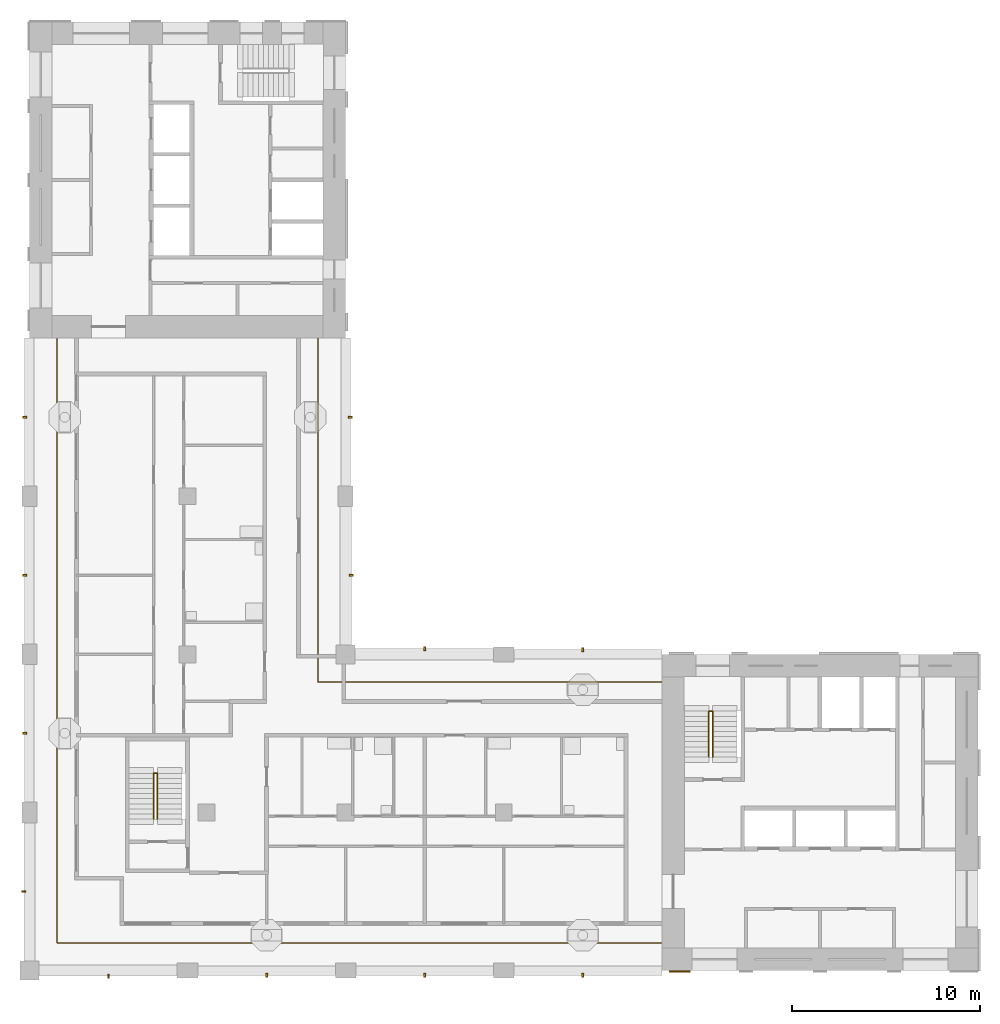
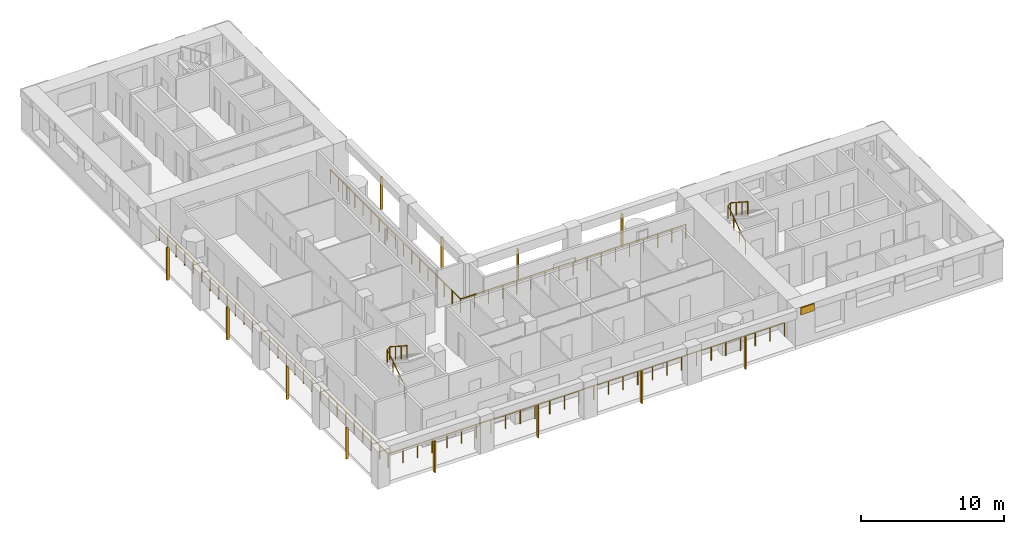
# One storey, part 7 of 11: 13 shading devices, 4 railings.
"""IFC4 building model written with IfcOpenShell, lengths in metres."""

from ifc_helpers import new_model, si_unit, direction, frame, origin, origin_2d, place, context, subcontext, project, spatial, rectangle, circle, extrude, material, layer, layer_set, material_profile, profile_set, type_object, element, save


model = new_model("IFC4")

# Units and contexts
model_context = context("Model", 3, precision=1e-05, world=origin(), true_north=direction((0.0, 1.0)))
body_context = subcontext(model_context, "Body", "Model", "MODEL_VIEW")
ifc_project = project(units=[si_unit("LENGTHUNIT", "METRE"), si_unit("AREAUNIT", "SQUARE_METRE"), si_unit("VOLUMEUNIT", "CUBIC_METRE"), si_unit("PLANEANGLEUNIT", "RADIAN"), si_unit("MASSUNIT", "GRAM", prefix="KILO")], contexts=[model_context])

# Site, building, storey
site_placement = place(None, origin())
site = spatial("IfcSite", under=ifc_project, at=site_placement, CompositionType="ELEMENT")
building_placement = place(site_placement, origin())
building = spatial("IfcBuilding", under=site, at=building_placement, Name="Vermilion Gate Residences", CompositionType="ELEMENT")
storey_placement = place(building_placement, frame((0.0, 0.0, 263.199951171875)))
storey = spatial("IfcBuildingStorey", under=building, at=storey_placement, Name="L69", CompositionType="ELEMENT", Elevation=263.199951171875)

# Railings
ifc_material_1 = material(Name="Stainless steel and toughened glass", Category="steel")
railing_type_1 = type_object("IfcRailingType", Name="LOGGIA GUARD STEEL AND GLASS 1200", PredefinedType="GUARDRAIL", material=ifc_material_1)
railing_1_placement = place(storey_placement, frame((41.97802734375, 23.72509765625, 0.0)))
element("IfcRailing", 1, at=railing_1_placement, inside=storey, type_object=railing_type_1, Name="Loggia guard", PredefinedType="GUARDRAIL", context=body_context, shape_type="SweptSolid", body=[
    extrude(circle(Radius=0.030029296875, at=origin_2d()), frame((0.0, 0.0, 1.169921875), z_axis=(-1.0, 0.0, 0.0), x_axis=(0.0, -1.0, 0.0)), (0.0, 0.0, 1.0), 18.2529296875),
    extrude(circle(Radius=0.030029296875, at=origin_2d()), frame((-18.2529296875, 0.0, 1.169921875), z_axis=(0.0, 1.0, 0.0), x_axis=(-1.0, 0.0, 0.0)), (0.0, 0.0, 1.0), 18.2529296875),
    extrude(circle(Radius=0.02490234375, at=origin_2d()), origin(), (0.0, 0.0, 1.0), 1.139892578125),
    extrude(circle(Radius=0.02490234375, at=origin_2d()), frame((-1.140869140625, 0.0, 0.0)), (0.0, 0.0, 1.0), 1.139892578125),
    extrude(circle(Radius=0.02490234375, at=origin_2d()), frame((-2.28173828125, 0.0, 0.0)), (0.0, 0.0, 1.0), 1.139892578125),
    extrude(circle(Radius=0.02490234375, at=origin_2d()), frame((-3.42236328125, 0.0, 0.0)), (0.0, 0.0, 1.0), 1.139892578125),
    extrude(circle(Radius=0.02490234375, at=origin_2d()), frame((-4.563232421875, 0.0, 0.0)), (0.0, 0.0, 1.0), 1.139892578125),
    extrude(circle(Radius=0.02490234375, at=origin_2d()), frame((-5.7041015625, 0.0, 0.0)), (0.0, 0.0, 1.0), 1.139892578125),
    extrude(circle(Radius=0.02490234375, at=origin_2d()), frame((-6.8447265625, 0.0, 0.0)), (0.0, 0.0, 1.0), 1.139892578125),
    extrude(circle(Radius=0.02490234375, at=origin_2d()), frame((-7.985595703125, 0.0, 0.0)), (0.0, 0.0, 1.0), 1.139892578125),
    extrude(circle(Radius=0.02490234375, at=origin_2d()), frame((-9.12646484375, 0.0, 0.0)), (0.0, 0.0, 1.0), 1.139892578125),
    extrude(circle(Radius=0.02490234375, at=origin_2d()), frame((-10.267333984375, 0.0, 0.0)), (0.0, 0.0, 1.0), 1.139892578125),
    extrude(circle(Radius=0.02490234375, at=origin_2d()), frame((-11.408203125, 0.0, 0.0)), (0.0, 0.0, 1.0), 1.139892578125),
    extrude(circle(Radius=0.02490234375, at=origin_2d()), frame((-12.548828125, 0.0, 0.0)), (0.0, 0.0, 1.0), 1.139892578125),
    extrude(circle(Radius=0.02490234375, at=origin_2d()), frame((-13.689697265625, 0.0, 0.0)), (0.0, 0.0, 1.0), 1.139892578125),
    extrude(circle(Radius=0.02490234375, at=origin_2d()), frame((-14.83056640625, 0.0, 0.0)), (0.0, 0.0, 1.0), 1.139892578125),
    extrude(circle(Radius=0.02490234375, at=origin_2d()), frame((-15.97119140625, 0.0, 0.0)), (0.0, 0.0, 1.0), 1.139892578125),
    extrude(circle(Radius=0.02490234375, at=origin_2d()), frame((-17.112060546875, 0.0, 0.0)), (0.0, 0.0, 1.0), 1.139892578125),
    extrude(circle(Radius=0.02490234375, at=origin_2d()), frame((-18.2529296875, 0.0, 0.0)), (0.0, 0.0, 1.0), 1.139892578125),
    extrude(circle(Radius=0.02490234375, at=origin_2d()), frame((-18.2529296875, 1.140869140625, 0.0)), (0.0, 0.0, 1.0), 1.139892578125),
    extrude(circle(Radius=0.02490234375, at=origin_2d()), frame((-18.2529296875, 2.28173828125, 0.0)), (0.0, 0.0, 1.0), 1.139892578125),
    extrude(circle(Radius=0.02490234375, at=origin_2d()), frame((-18.2529296875, 3.42236328125, 0.0)), (0.0, 0.0, 1.0), 1.139892578125),
    extrude(circle(Radius=0.02490234375, at=origin_2d()), frame((-18.2529296875, 4.563232421875, 0.0)), (0.0, 0.0, 1.0), 1.139892578125),
    extrude(circle(Radius=0.02490234375, at=origin_2d()), frame((-18.2529296875, 5.7041015625, 0.0)), (0.0, 0.0, 1.0), 1.139892578125),
    extrude(circle(Radius=0.02490234375, at=origin_2d()), frame((-18.2529296875, 6.8447265625, 0.0)), (0.0, 0.0, 1.0), 1.139892578125),
    extrude(circle(Radius=0.02490234375, at=origin_2d()), frame((-18.2529296875, 7.985595703125, 0.0)), (0.0, 0.0, 1.0), 1.139892578125),
    extrude(circle(Radius=0.02490234375, at=origin_2d()), frame((-18.2529296875, 9.12646484375, 0.0)), (0.0, 0.0, 1.0), 1.139892578125),
    extrude(circle(Radius=0.02490234375, at=origin_2d()), frame((-18.2529296875, 10.267333984375, 0.0)), (0.0, 0.0, 1.0), 1.139892578125),
    extrude(circle(Radius=0.02490234375, at=origin_2d()), frame((-18.2529296875, 11.408203125, 0.0)), (0.0, 0.0, 1.0), 1.139892578125),
    extrude(circle(Radius=0.02490234375, at=origin_2d()), frame((-18.2529296875, 12.548828125, 0.0)), (0.0, 0.0, 1.0), 1.139892578125),
    extrude(circle(Radius=0.02490234375, at=origin_2d()), frame((-18.2529296875, 13.689697265625, 0.0)), (0.0, 0.0, 1.0), 1.139892578125),
    extrude(circle(Radius=0.02490234375, at=origin_2d()), frame((-18.2529296875, 14.83056640625, 0.0)), (0.0, 0.0, 1.0), 1.139892578125),
    extrude(circle(Radius=0.02490234375, at=origin_2d()), frame((-18.2529296875, 15.97119140625, 0.0)), (0.0, 0.0, 1.0), 1.139892578125),
    extrude(circle(Radius=0.02490234375, at=origin_2d()), frame((-18.2529296875, 17.112060546875, 0.0)), (0.0, 0.0, 1.0), 1.139892578125),
    extrude(circle(Radius=0.02490234375, at=origin_2d()), frame((-18.2529296875, 18.2529296875, 0.0)), (0.0, 0.0, 1.0), 1.139892578125),
])
railing_2_placement = place(storey_placement, frame((9.875, 41.97802734375, 0.0)))
element("IfcRailing", 2, at=railing_2_placement, inside=storey, type_object=railing_type_1, Name="Loggia guard", PredefinedType="GUARDRAIL", context=body_context, shape_type="SweptSolid", body=[
    extrude(circle(Radius=0.030029296875, at=origin_2d()), frame((0.0, 0.0, 1.169921875), z_axis=(0.0, -1.0, 0.0), x_axis=(1.0, 0.0, 0.0)), (0.0, 0.0, 1.0), 32.10302734375),
    extrude(circle(Radius=0.030029296875, at=origin_2d()), frame((0.0, -32.10302734375, 1.169921875), z_axis=(1.0, 0.0, 0.0), x_axis=(0.0, 1.0, 0.0)), (0.0, 0.0, 1.0), 32.10302734375),
    extrude(circle(Radius=0.02490234375, at=origin_2d()), origin(), (0.0, 0.0, 1.0), 1.139892578125),
    extrude(circle(Radius=0.02490234375, at=origin_2d()), frame((0.0, -1.18896484375, 0.0)), (0.0, 0.0, 1.0), 1.139892578125),
    extrude(circle(Radius=0.02490234375, at=origin_2d()), frame((0.0, -2.3779296875, 0.0)), (0.0, 0.0, 1.0), 1.139892578125),
    extrude(circle(Radius=0.02490234375, at=origin_2d()), frame((0.0, -3.56689453125, 0.0)), (0.0, 0.0, 1.0), 1.139892578125),
    extrude(circle(Radius=0.02490234375, at=origin_2d()), frame((0.0, -4.756103515625, 0.0)), (0.0, 0.0, 1.0), 1.139892578125),
    extrude(circle(Radius=0.02490234375, at=origin_2d()), frame((0.0, -5.945068359375, 0.0)), (0.0, 0.0, 1.0), 1.139892578125),
    extrude(circle(Radius=0.02490234375, at=origin_2d()), frame((0.0, -7.134033203125, 0.0)), (0.0, 0.0, 1.0), 1.139892578125),
    extrude(circle(Radius=0.02490234375, at=origin_2d()), frame((0.0, -8.322998046875, 0.0)), (0.0, 0.0, 1.0), 1.139892578125),
    extrude(circle(Radius=0.02490234375, at=origin_2d()), frame((0.0, -9.511962890625, 0.0)), (0.0, 0.0, 1.0), 1.139892578125),
    extrude(circle(Radius=0.02490234375, at=origin_2d()), frame((0.0, -10.700927734375, 0.0)), (0.0, 0.0, 1.0), 1.139892578125),
    extrude(circle(Radius=0.02490234375, at=origin_2d()), frame((0.0, -11.889892578125, 0.0)), (0.0, 0.0, 1.0), 1.139892578125),
    extrude(circle(Radius=0.02490234375, at=origin_2d()), frame((0.0, -13.0791015625, 0.0)), (0.0, 0.0, 1.0), 1.139892578125),
    extrude(circle(Radius=0.02490234375, at=origin_2d()), frame((0.0, -14.26806640625, 0.0)), (0.0, 0.0, 1.0), 1.139892578125),
    extrude(circle(Radius=0.02490234375, at=origin_2d()), frame((0.0, -15.45703125, 0.0)), (0.0, 0.0, 1.0), 1.139892578125),
    extrude(circle(Radius=0.02490234375, at=origin_2d()), frame((0.0, -16.64599609375, 0.0)), (0.0, 0.0, 1.0), 1.139892578125),
    extrude(circle(Radius=0.02490234375, at=origin_2d()), frame((0.0, -17.8349609375, 0.0)), (0.0, 0.0, 1.0), 1.139892578125),
    extrude(circle(Radius=0.02490234375, at=origin_2d()), frame((0.0, -19.02392578125, 0.0)), (0.0, 0.0, 1.0), 1.139892578125),
    extrude(circle(Radius=0.02490234375, at=origin_2d()), frame((0.0, -20.213134765625, 0.0)), (0.0, 0.0, 1.0), 1.139892578125),
    extrude(circle(Radius=0.02490234375, at=origin_2d()), frame((0.0, -21.402099609375, 0.0)), (0.0, 0.0, 1.0), 1.139892578125),
    extrude(circle(Radius=0.02490234375, at=origin_2d()), frame((0.0, -22.591064453125, 0.0)), (0.0, 0.0, 1.0), 1.139892578125),
    extrude(circle(Radius=0.02490234375, at=origin_2d()), frame((0.0, -23.780029296875, 0.0)), (0.0, 0.0, 1.0), 1.139892578125),
    extrude(circle(Radius=0.02490234375, at=origin_2d()), frame((0.0, -24.968994140625, 0.0)), (0.0, 0.0, 1.0), 1.139892578125),
    extrude(circle(Radius=0.02490234375, at=origin_2d()), frame((0.0, -26.157958984375, 0.0)), (0.0, 0.0, 1.0), 1.139892578125),
    extrude(circle(Radius=0.02490234375, at=origin_2d()), frame((0.0, -27.346923828125, 0.0)), (0.0, 0.0, 1.0), 1.139892578125),
    extrude(circle(Radius=0.02490234375, at=origin_2d()), frame((0.0, -28.5361328125, 0.0)), (0.0, 0.0, 1.0), 1.139892578125),
    extrude(circle(Radius=0.02490234375, at=origin_2d()), frame((0.0, -29.72509765625, 0.0)), (0.0, 0.0, 1.0), 1.139892578125),
    extrude(circle(Radius=0.02490234375, at=origin_2d()), frame((0.0, -30.9140625, 0.0)), (0.0, 0.0, 1.0), 1.139892578125),
    extrude(circle(Radius=0.02490234375, at=origin_2d()), frame((0.0, -32.10302734375, 0.0)), (0.0, 0.0, 1.0), 1.139892578125),
    extrude(circle(Radius=0.02490234375, at=origin_2d()), frame((1.18896484375, -32.10302734375, 0.0)), (0.0, 0.0, 1.0), 1.139892578125),
    extrude(circle(Radius=0.02490234375, at=origin_2d()), frame((2.3779296875, -32.10302734375, 0.0)), (0.0, 0.0, 1.0), 1.139892578125),
    extrude(circle(Radius=0.02490234375, at=origin_2d()), frame((3.56689453125, -32.10302734375, 0.0)), (0.0, 0.0, 1.0), 1.139892578125),
    extrude(circle(Radius=0.02490234375, at=origin_2d()), frame((4.756103515625, -32.10302734375, 0.0)), (0.0, 0.0, 1.0), 1.139892578125),
    extrude(circle(Radius=0.02490234375, at=origin_2d()), frame((5.945068359375, -32.10302734375, 0.0)), (0.0, 0.0, 1.0), 1.139892578125),
    extrude(circle(Radius=0.02490234375, at=origin_2d()), frame((7.134033203125, -32.10302734375, 0.0)), (0.0, 0.0, 1.0), 1.139892578125),
    extrude(circle(Radius=0.02490234375, at=origin_2d()), frame((8.322998046875, -32.10302734375, 0.0)), (0.0, 0.0, 1.0), 1.139892578125),
    extrude(circle(Radius=0.02490234375, at=origin_2d()), frame((9.511962890625, -32.10302734375, 0.0)), (0.0, 0.0, 1.0), 1.139892578125),
    extrude(circle(Radius=0.02490234375, at=origin_2d()), frame((10.700927734375, -32.10302734375, 0.0)), (0.0, 0.0, 1.0), 1.139892578125),
    extrude(circle(Radius=0.02490234375, at=origin_2d()), frame((11.889892578125, -32.10302734375, 0.0)), (0.0, 0.0, 1.0), 1.139892578125),
    extrude(circle(Radius=0.02490234375, at=origin_2d()), frame((13.0791015625, -32.10302734375, 0.0)), (0.0, 0.0, 1.0), 1.139892578125),
    extrude(circle(Radius=0.02490234375, at=origin_2d()), frame((14.26806640625, -32.10302734375, 0.0)), (0.0, 0.0, 1.0), 1.139892578125),
    extrude(circle(Radius=0.02490234375, at=origin_2d()), frame((15.45703125, -32.10302734375, 0.0)), (0.0, 0.0, 1.0), 1.139892578125),
    extrude(circle(Radius=0.02490234375, at=origin_2d()), frame((16.64599609375, -32.10302734375, 0.0)), (0.0, 0.0, 1.0), 1.139892578125),
    extrude(circle(Radius=0.02490234375, at=origin_2d()), frame((17.8349609375, -32.10302734375, 0.0)), (0.0, 0.0, 1.0), 1.139892578125),
    extrude(circle(Radius=0.02490234375, at=origin_2d()), frame((19.02392578125, -32.10302734375, 0.0)), (0.0, 0.0, 1.0), 1.139892578125),
    extrude(circle(Radius=0.02490234375, at=origin_2d()), frame((20.213134765625, -32.10302734375, 0.0)), (0.0, 0.0, 1.0), 1.139892578125),
    extrude(circle(Radius=0.02490234375, at=origin_2d()), frame((21.402099609375, -32.10302734375, 0.0)), (0.0, 0.0, 1.0), 1.139892578125),
    extrude(circle(Radius=0.02490234375, at=origin_2d()), frame((22.591064453125, -32.10302734375, 0.0)), (0.0, 0.0, 1.0), 1.139892578125),
    extrude(circle(Radius=0.02490234375, at=origin_2d()), frame((23.780029296875, -32.10302734375, 0.0)), (0.0, 0.0, 1.0), 1.139892578125),
    extrude(circle(Radius=0.02490234375, at=origin_2d()), frame((24.968994140625, -32.10302734375, 0.0)), (0.0, 0.0, 1.0), 1.139892578125),
    extrude(circle(Radius=0.02490234375, at=origin_2d()), frame((26.157958984375, -32.10302734375, 0.0)), (0.0, 0.0, 1.0), 1.139892578125),
    extrude(circle(Radius=0.02490234375, at=origin_2d()), frame((27.346923828125, -32.10302734375, 0.0)), (0.0, 0.0, 1.0), 1.139892578125),
    extrude(circle(Radius=0.02490234375, at=origin_2d()), frame((28.5361328125, -32.10302734375, 0.0)), (0.0, 0.0, 1.0), 1.139892578125),
    extrude(circle(Radius=0.02490234375, at=origin_2d()), frame((29.72509765625, -32.10302734375, 0.0)), (0.0, 0.0, 1.0), 1.139892578125),
    extrude(circle(Radius=0.02490234375, at=origin_2d()), frame((30.9140625, -32.10302734375, 0.0)), (0.0, 0.0, 1.0), 1.139892578125),
    extrude(circle(Radius=0.02490234375, at=origin_2d()), frame((32.10302734375, -32.10302734375, 0.0)), (0.0, 0.0, 1.0), 1.139892578125),
])
ifc_material_2 = material(Name="Steel S355", Category="steel")
railing_type_2 = type_object("IfcRailingType", Name="STAIR GUARD 1100 STEEL", PredefinedType="GUARDRAIL", material=ifc_material_2)
for number, where, name in (
    (3, (44.5, 19.75, 0.175048828125), "Stair well guard STA1-69"),
    (4, (15.0, 16.449951171875, 0.175048828125), "Stair well guard STC1-69"),
):
    element("IfcRailing", number, at=place(storey_placement, frame(where)), inside=storey, type_object=railing_type_2, Name=name, PredefinedType="GUARDRAIL", context=body_context, shape_type="SweptSolid", body=[
        extrude(circle(Radius=0.02392578125, at=origin_2d()), frame((0.0, 0.0, 1.076171875), z_axis=(0.0, 0.839153699163, 0.543894354798), x_axis=(-1.0, 0.0, 0.0)), (0.0, 0.0, 1.0), 2.895751953125),
        extrude(circle(Radius=0.02392578125, at=origin_2d()), frame((0.0, 2.429931640625, 2.65087890625), z_axis=(0.752405939678, 0.0, 0.658699705433), x_axis=(0.0, 1.0, 0.0)), (0.0, 0.0, 1.0), 0.265869140625),
        extrude(circle(Radius=0.02392578125, at=origin_2d()), frame((0.199951171875, 2.429931640625, 2.826171875), z_axis=(0.0, -0.839153699163, 0.543894354798), x_axis=(1.0, 0.0, 0.0)), (0.0, 0.0, 1.0), 2.895751953125),
        extrude(circle(Radius=0.02099609375, at=origin_2d()), origin(), (0.0, 0.0, 1.0), 1.052001953125),
        extrude(circle(Radius=0.02099609375, at=origin_2d()), frame((0.0, 0.81005859375, 0.52490234375)), (0.0, 0.0, 1.0), 1.052001953125),
        extrude(circle(Radius=0.02099609375, at=origin_2d()), frame((0.0, 1.619873046875, 1.050048828125)), (0.0, 0.0, 1.0), 1.052001953125),
        extrude(circle(Radius=0.02099609375, at=origin_2d()), frame((0.0, 2.429931640625, 1.574951171875)), (0.0, 0.0, 1.0), 1.052001953125),
        extrude(circle(Radius=0.02099609375, at=origin_2d()), frame((0.199951171875, 2.429931640625, 1.75)), (0.0, 0.0, 1.0), 1.052001953125),
        extrude(circle(Radius=0.02099609375, at=origin_2d()), frame((0.199951171875, 1.619873046875, 2.27490234375)), (0.0, 0.0, 1.0), 1.052001953125),
        extrude(circle(Radius=0.02099609375, at=origin_2d()), frame((0.199951171875, 0.81005859375, 2.800048828125)), (0.0, 0.0, 1.0), 1.052001953125),
        extrude(circle(Radius=0.02099609375, at=origin_2d()), frame((0.199951171875, 0.0, 3.324951171875)), (0.0, 0.0, 1.0), 1.052001953125),
    ])

# Shading devices
ifc_material_3 = material(Name="Extruded terracotta", Category="masonry")
ifc_material_profile = material_profile(ifc_material_3, rectangle(XDim=0.199951171875, YDim=0.10009765625, at=origin_2d()), Name="BAGUETTE 100 X 200")
ifc_profile_set = profile_set([ifc_material_profile], Name="Extruded terracotta")
shading_device_type_1 = type_object("IfcShadingDeviceType", Name="TERRACOTTA BAGUETTE 100 X 200", PredefinedType="JALOUSIE", material=ifc_profile_set)
shading_device_1_placement = place(storey_placement, frame((12.60009765625, 8.10009765625, -0.280029296875), z_axis=(0.0, 0.0, 1.0), x_axis=(0.0, 1.0, 0.0)))
element("IfcShadingDevice", 5, at=shading_device_1_placement, inside=storey, type_object=shading_device_type_1, Name="BAGUETTE", PredefinedType="JALOUSIE", context=body_context, shape_type="SweptSolid", body=[
    extrude(rectangle(XDim=0.199951171875, YDim=0.10009765625, at=origin_2d()), origin(), (0.0, 0.0, 1.0), 2.7001953125),
])
for number, where, z_axis, x_axis, name in (
    (6, (21.0, 8.14990234375, -0.280029296875), (0.0, 0.0, 1.0), (0.0, 1.0, 0.0), "BAGUETTE"),
    (7, (29.39990234375, 8.14990234375, -0.280029296875), (0.0, 0.0, 1.0), (0.0, 1.0, 0.0), "BAGUETTE"),
    (8, (37.800048828125, 8.14990234375, -0.280029296875), (0.0, 0.0, 1.0), (0.0, 1.0, 0.0), "BAGUETTE"),
):
    element("IfcShadingDevice", number, at=place(storey_placement, frame(where, z_axis=z_axis, x_axis=x_axis)), inside=storey, type_object=shading_device_type_1, Name=name, PredefinedType="JALOUSIE", context=body_context, shape_type="SweptSolid", body=[
        extrude(rectangle(XDim=0.199951171875, YDim=0.10009765625, at=origin_2d()), origin(), (0.0, 0.0, 1.0), 2.800048828125),
    ])
shading_device_2_placement = place(storey_placement, frame((29.39990234375, 25.5, -0.280029296875), z_axis=(0.0, 0.0, 1.0), x_axis=(0.0, -1.0, 0.0)))
element("IfcShadingDevice", 9, at=shading_device_2_placement, inside=storey, type_object=shading_device_type_1, Name="BAGUETTE", PredefinedType="JALOUSIE", context=body_context, shape_type="SweptSolid", body=[
    extrude(rectangle(XDim=0.199951171875, YDim=0.10009765625, at=origin_2d()), origin(), (0.0, 0.0, 1.0), 2.7001953125),
])
shading_device_3_placement = place(storey_placement, frame((37.800048828125, 25.449951171875, -0.280029296875), z_axis=(0.0, 0.0, 1.0), x_axis=(0.0, -1.0, 0.0)))
element("IfcShadingDevice", 10, at=shading_device_3_placement, inside=storey, type_object=shading_device_type_1, Name="BAGUETTE", PredefinedType="JALOUSIE", context=body_context, shape_type="SweptSolid", body=[
    extrude(rectangle(XDim=0.199951171875, YDim=0.10009765625, at=origin_2d()), origin(), (0.0, 0.0, 1.0), 2.800048828125),
])
shading_device_4_placement = place(storey_placement, frame((25.5, 29.39990234375, -0.280029296875), z_axis=(0.0, 0.0, 1.0), x_axis=(-1.0, 0.0, 0.0)))
element("IfcShadingDevice", 11, at=shading_device_4_placement, inside=storey, type_object=shading_device_type_1, Name="BAGUETTE", PredefinedType="JALOUSIE", context=body_context, shape_type="SweptSolid", body=[
    extrude(rectangle(XDim=0.199951171875, YDim=0.10009765625, at=origin_2d()), origin(), (0.0, 0.0, 1.0), 2.7001953125),
])
shading_device_5_placement = place(storey_placement, frame((25.449951171875, 37.800048828125, -0.280029296875), z_axis=(0.0, 0.0, 1.0), x_axis=(-1.0, 0.0, 0.0)))
element("IfcShadingDevice", 12, at=shading_device_5_placement, inside=storey, type_object=shading_device_type_1, Name="BAGUETTE", PredefinedType="JALOUSIE", context=body_context, shape_type="SweptSolid", body=[
    extrude(rectangle(XDim=0.199951171875, YDim=0.10009765625, at=origin_2d()), origin(), (0.0, 0.0, 1.0), 2.800048828125),
])
shading_device_6_placement = place(storey_placement, frame((8.10009765625, 12.60009765625, -0.280029296875), z_axis=(0.0, 0.0, 1.0), x_axis=(1.0, 0.0, 0.0)))
element("IfcShadingDevice", 13, at=shading_device_6_placement, inside=storey, type_object=shading_device_type_1, Name="BAGUETTE", PredefinedType="JALOUSIE", context=body_context, shape_type="SweptSolid", body=[
    extrude(rectangle(XDim=0.199951171875, YDim=0.10009765625, at=origin_2d()), origin(), (0.0, 0.0, 1.0), 2.7001953125),
])
for number, where, z_axis, x_axis, name in (
    (14, (8.14990234375, 21.0, -0.280029296875), (0.0, 0.0, 1.0), (1.0, 0.0, 0.0), "BAGUETTE"),
    (15, (8.14990234375, 29.39990234375, -0.280029296875), (0.0, 0.0, 1.0), (1.0, 0.0, 0.0), "BAGUETTE"),
    (16, (8.14990234375, 37.800048828125, -0.280029296875), (0.0, 0.0, 1.0), (1.0, 0.0, 0.0), "BAGUETTE"),
):
    element("IfcShadingDevice", number, at=place(storey_placement, frame(where, z_axis=z_axis, x_axis=x_axis)), inside=storey, type_object=shading_device_type_1, Name=name, PredefinedType="JALOUSIE", context=body_context, shape_type="SweptSolid", body=[
        extrude(rectangle(XDim=0.199951171875, YDim=0.10009765625, at=origin_2d()), origin(), (0.0, 0.0, 1.0), 2.800048828125),
    ])
ifc_material_4 = material(Name="Extruded terracotta", Category="masonry")
ifc_layer = layer(ifc_material_4, 0.10009765625)
ifc_layer_set = layer_set([ifc_layer], Name="TERRACOTTA SPANDREL BAND 600 X 100")
shading_device_type_2 = type_object("IfcShadingDeviceType", Name="TERRACOTTA SPANDREL BAND 600 X 100", PredefinedType="USERDEFINED", material=ifc_layer_set)
shading_device_7_placement = place(storey_placement, frame((42.949951171875, 8.35009765625, 2.6201171875), z_axis=(0.0, 0.0, 1.0), x_axis=(1.0, 0.0, 0.0)))
element("IfcShadingDevice", 17, at=shading_device_7_placement, inside=storey, type_object=shading_device_type_2, Name="SPANDREL BAND", ObjectType="BAND", PredefinedType="USERDEFINED", context=body_context, shape_type="SweptSolid", body=[
    extrude(rectangle(XDim=1.10009765625, YDim=0.10009765625, at=origin_2d()), origin(), (0.0, 0.0, 1.0), 0.60009765625),
])

save(model, "model.ifc")
